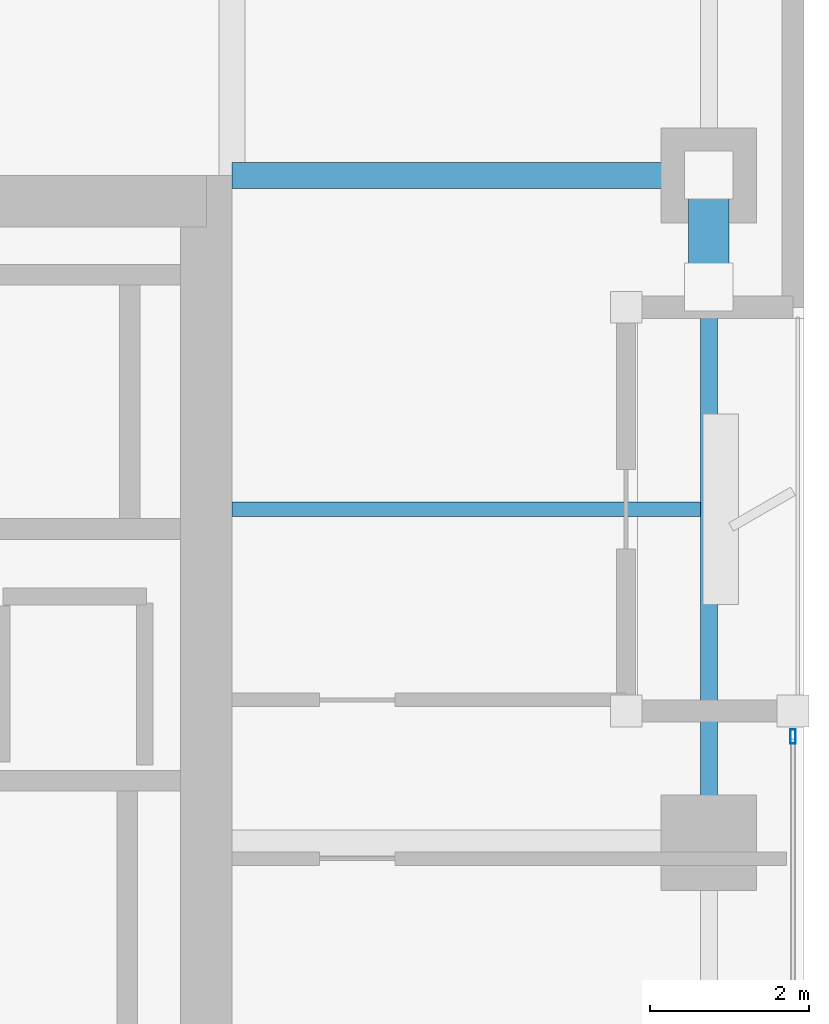
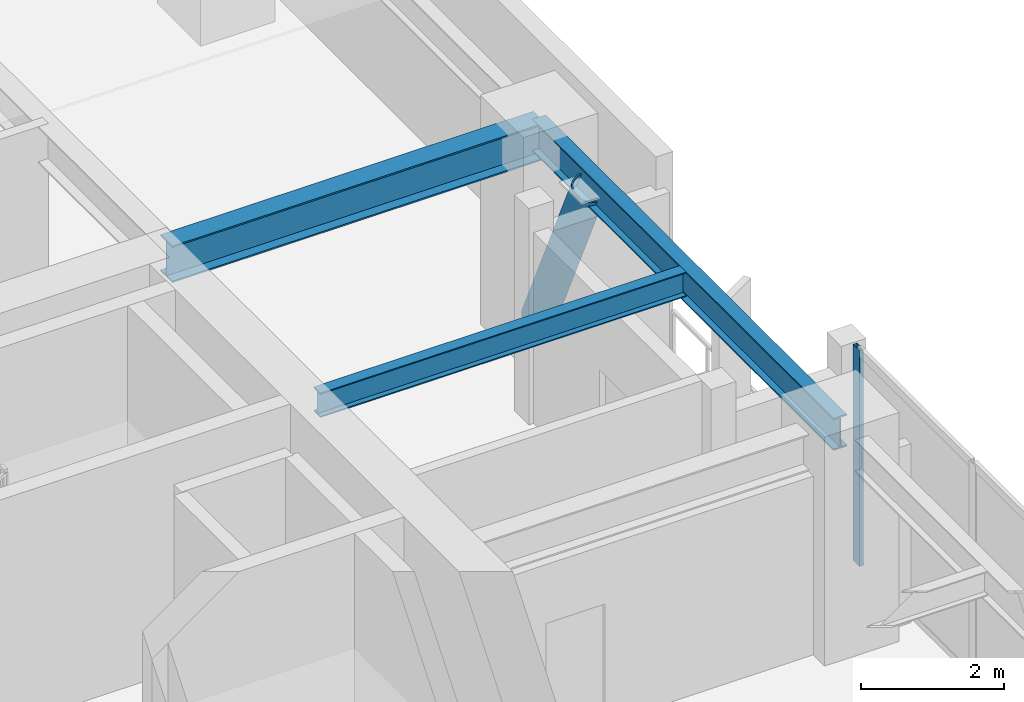
# One storey, part 11 of 30: 3 beams, 2 members, 1 element without a shape of its own.
"""IFC4 building model written with IfcOpenShell, lengths in metres."""

from ifc_helpers import new_model, si_unit, direction, frame, origin, origin_2d, place, context, subcontext, project, spatial, hollow_rectangle, hollow_circle, i_section, extrude, material, layer, layer_set, material_profile, profile_set, type_object, element, aggregate, save


model = new_model("IFC4")

# Units and contexts
model_context = context("Model", 3, precision=1e-05, world=origin(), true_north=direction((0.0, 1.0)))
body_context = subcontext(model_context, "Body", "Model", "MODEL_VIEW")
ifc_project = project(units=[si_unit("LENGTHUNIT", "METRE"), si_unit("AREAUNIT", "SQUARE_METRE"), si_unit("VOLUMEUNIT", "CUBIC_METRE"), si_unit("PLANEANGLEUNIT", "RADIAN"), si_unit("MASSUNIT", "GRAM", prefix="KILO")], contexts=[model_context])

# Site, building, storey
site_placement = place(None, origin())
site = spatial("IfcSite", under=ifc_project, at=site_placement, CompositionType="ELEMENT")
building_placement = place(site_placement, origin())
building = spatial("IfcBuilding", under=site, at=building_placement, Name="Kiyonajd Concourse Tower", CompositionType="ELEMENT")
storey_placement = place(building_placement, frame((0.0, 0.0, 194.10009765625)))
storey = spatial("IfcBuildingStorey", under=building, at=storey_placement, Name="L49", CompositionType="ELEMENT", Elevation=194.10009765625)

# Beams
ifc_material_1 = material(Name="Steel ASTM A992 Grade 50", Category="steel")
ifc_material_profile_1 = material_profile(ifc_material_1, i_section(OverallWidth=0.180908203125, OverallDepth=0.4169921875, WebThickness=0.010986328125, FlangeThickness=0.018310546875, at=origin_2d()), Name="W410X85")
ifc_profile_set_1 = profile_set([ifc_material_profile_1], Name="Steel ASTM A992 Grade 50")
beam_type_1 = type_object("IfcBeamType", Name="BM-JST-410", PredefinedType="JOIST", material=ifc_profile_set_1)
beam_1_placement = place(storey_placement, frame((63.60009765625, 40.199951171875, 3.471435546875), z_axis=(1.0, 0.0, 0.0), x_axis=(0.0, 1.0, 0.0)))
element("IfcBeam", 1, at=beam_1_placement, inside=storey, type_object=beam_type_1, Name="L49 East Secondary Floor Joist", PredefinedType="JOIST", context=body_context, shape_type="SweptSolid", body=[
    extrude(i_section(OverallWidth=0.180908203125, OverallDepth=0.4169921875, WebThickness=0.010986328125, FlangeThickness=0.018310546875, at=origin_2d()), origin(), (0.0, 0.0, 1.0), 5.892822265625),
])
ifc_material_profile_2 = material_profile(ifc_material_1, i_section(OverallWidth=0.214111328125, OverallDepth=0.549072265625, WebThickness=0.0146484375, FlangeThickness=0.023681640625, at=origin_2d()), Name="W530X138")
ifc_profile_set_2 = profile_set([ifc_material_profile_2], Name="Steel ASTM A992 Grade 50")
beam_type_2 = type_object("IfcBeamType", Name="BM-SPAN-530A", PredefinedType="SPANDREL", material=ifc_profile_set_2)
beam_2_placement = place(storey_placement, frame((69.60009765625, 36.0, 3.405517578125), z_axis=(0.0, 1.0, 0.0), x_axis=(-1.0, 0.0, 0.0)))
element("IfcBeam", 2, at=beam_2_placement, inside=storey, type_object=beam_type_2, Name="L49 Perimeter Bundled Tube Spandrel", PredefinedType="SPANDREL", context=body_context, shape_type="SweptSolid", body=[
    extrude(i_section(OverallWidth=0.214111328125, OverallDepth=0.549072265625, WebThickness=0.0146484375, FlangeThickness=0.023681640625, at=origin_2d()), origin(), (0.0, 0.0, 1.0), 8.39990234375),
])
ifc_material_profile_3 = material_profile(ifc_material_1, i_section(OverallWidth=0.326904296875, OverallDepth=0.6220703125, WebThickness=0.015380859375, FlangeThickness=0.0244140625, at=origin_2d()), Name="W610X195")
ifc_profile_set_3 = profile_set([ifc_material_profile_3], Name="Steel ASTM A992 Grade 50")
beam_type_3 = type_object("IfcBeamType", Name="BM-TWR-610A", PredefinedType="BEAM", material=ifc_profile_set_3)
beam_3_placement = place(storey_placement, frame((63.60009765625, 44.39990234375, 3.368896484375), z_axis=(1.0, 0.0, 0.0), x_axis=(0.0, 1.0, 0.0)))
element("IfcBeam", 3, at=beam_3_placement, inside=storey, type_object=beam_type_3, Name="L49 East Lease Girder", PredefinedType="BEAM", context=body_context, shape_type="SweptSolid", body=[
    extrude(i_section(OverallWidth=0.326904296875, OverallDepth=0.6220703125, WebThickness=0.015380859375, FlangeThickness=0.0244140625, at=origin_2d()), origin(), (0.0, 0.0, 1.0), 6.0),
])

# Curtain wall, member
ifc_material_2 = material(Name="Thermally Broken Anodised Aluminium", Category="aluminium")
ifc_layer = layer(ifc_material_2, 0.179931640625)
ifc_layer_set = layer_set([ifc_layer], Name="Thermally Broken Anodised Aluminium")
curtain_wall_type = type_object("IfcCurtainWallType", Name="CW-SYS-03", PredefinedType="NOTDEFINED", material=ifc_layer_set)
curtain_wall_placement = place(storey_placement, origin())
curtain_wall = element("IfcCurtainWall", 4, at=curtain_wall_placement, inside=storey, type_object=curtain_wall_type, Name="L49 Unitised Curtain Wall CW3", PredefinedType="NOTDEFINED")
ifc_material_profile_4 = material_profile(ifc_material_2, hollow_rectangle(XDim=0.06494140625, YDim=0.179931640625, WallThickness=0.00390625, at=origin_2d()), Name="MULL-65x180")
ifc_profile_set_4 = profile_set([ifc_material_profile_4], Name="Thermally Broken Anodised Aluminium")
member_type_1 = type_object("IfcMemberType", Name="MB-CW-MULL1", PredefinedType="MULLION", material=ifc_profile_set_4)
member_1_placement = place(storey_placement, frame((70.659912109375, 37.33740234375, 0.0), z_axis=(0.0, 0.0, 1.0), x_axis=(1.0, 0.0, 0.0)))
member_1 = element("IfcMember", 5, at=member_1_placement, type_object=member_type_1, Name="CW3 mullion 1", PredefinedType="MULLION", context=body_context, shape_type="SweptSolid", body=[
    extrude(hollow_rectangle(XDim=0.06494140625, YDim=0.179931640625, WallThickness=0.00390625, at=origin_2d()), origin(), (0.0, 0.0, 1.0), 3.679931640625),
])
aggregate(curtain_wall, [member_1])

# Member
ifc_material_3 = material(Name="Steel ASTM A500 Grade C", Category="steel")
ifc_material_profile_5 = material_profile(ifc_material_3, hollow_circle(Radius=0.25390625, WallThickness=0.02197265625, at=origin_2d()), Name="CHS-508x22")
ifc_profile_set_5 = profile_set([ifc_material_profile_5], Name="Steel ASTM A500 Grade C")
member_type_2 = type_object("IfcMemberType", Name="MB-PB-MID", PredefinedType="BRACE", material=ifc_profile_set_5)
member_2_placement = place(storey_placement, frame((69.60009765625, 44.39990234375, 0.2998046875), z_axis=(0.0, -0.419410666774, 0.907796614114), x_axis=(1.0, 0.0, 0.0)))
element("IfcMember", 6, at=member_2_placement, inside=storey, type_object=member_type_2, Name="L49 Upper Zone Hollow Tube Brace PBE", PredefinedType="BRACE", context=body_context, shape_type="SweptSolid", body=[
    extrude(hollow_circle(Radius=0.25390625, WallThickness=0.02197265625, at=origin_2d()), origin(), (0.0, 0.0, 1.0), 3.337890625),
])

save(model, "model.ifc")
